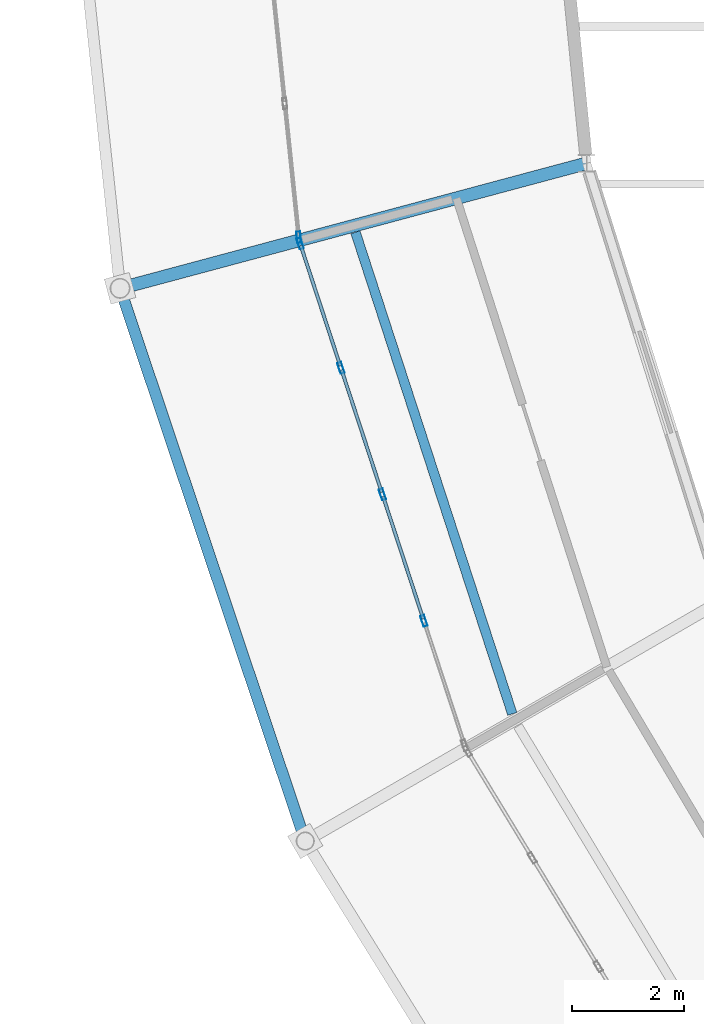
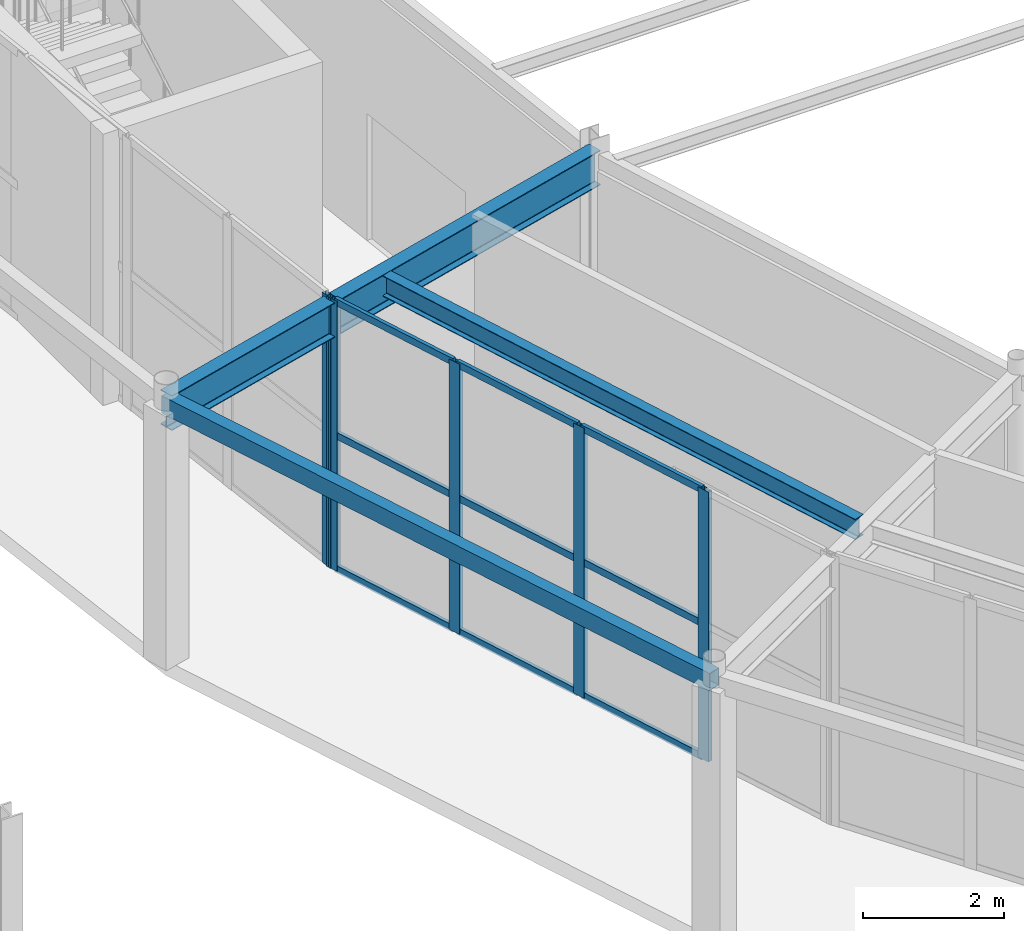
# One storey, part 41 of 144: 14 members, 3 beams, 2 elements without a shape of their own.
"""IFC4 building model written with IfcOpenShell, lengths in metres."""

from ifc_helpers import new_model, si_unit, direction, frame, origin, origin_2d, place, context, subcontext, project, spatial, hollow_rectangle, i_section, extrude, material, material_profile, profile_set, type_object, element, aggregate, save


model = new_model("IFC4")

# Units and contexts
model_context = context("Model", 3, precision=1e-05, world=origin(), true_north=direction((0.0, 1.0)))
body_context = subcontext(model_context, "Body", "Model", "MODEL_VIEW")
ifc_project = project(units=[si_unit("LENGTHUNIT", "METRE"), si_unit("AREAUNIT", "SQUARE_METRE"), si_unit("VOLUMEUNIT", "CUBIC_METRE"), si_unit("PLANEANGLEUNIT", "RADIAN"), si_unit("MASSUNIT", "GRAM", prefix="KILO")], contexts=[model_context])

# Site, building, storey
site_placement = place(None, origin())
site = spatial("IfcSite", under=ifc_project, at=site_placement, CompositionType="ELEMENT")
building_placement = place(site_placement, origin())
building = spatial("IfcBuilding", under=site, at=building_placement, Name="Karori Crest Natural Sciences Institute", CompositionType="ELEMENT")
storey_placement = place(building_placement, origin())
storey = spatial("IfcBuildingStorey", under=building, at=storey_placement, Name="L00", CompositionType="ELEMENT", Elevation=0.0)

# Beams
ifc_material_1 = material(Name="Hollow structural steel AS/NZS 1163 Grade C350", Category="steel")
ifc_material_profile_1 = material_profile(ifc_material_1, hollow_rectangle(XDim=0.199951171875, YDim=0.300048828125, WallThickness=0.010009765625, at=origin_2d()), Name="RHS300x200x10")
ifc_profile_set_1 = profile_set([ifc_material_profile_1], Name="Hollow structural steel AS/NZS 1163 Grade C350")
beam_type_1 = type_object("IfcBeamType", Name="BT-15", PredefinedType="SPANDREL", material=ifc_profile_set_1)
beam_1_placement = place(storey_placement, frame((34.5244140625, 39.340087890625, 4.489990234375), z_axis=(0.317688324477, -0.948195195353, 0.0), x_axis=(0.948195195353, 0.317688324477, 0.0)))
element("IfcBeam", 1, at=beam_1_placement, inside=storey, type_object=beam_type_1, Name="Beam B-0138", PredefinedType="SPANDREL", context=body_context, shape_type="SweptSolid", body=[
    extrude(hollow_rectangle(XDim=0.199951171875, YDim=0.300048828125, WallThickness=0.010009765625, at=origin_2d()), origin(), (0.0, 0.0, 1.0), 10.377685546875),
])
ifc_material_2 = material(Name="Structural steel AS/NZS 3679.1 Grade 350", Category="steel")
ifc_material_profile_2 = material_profile(ifc_material_2, i_section(OverallWidth=0.22802734375, OverallDepth=0.60205078125, WebThickness=0.010498046875, FlangeThickness=0.014892578125, FilletRadius=0.013916015625, at=origin_2d()), Name="610UB101")
ifc_profile_set_2 = profile_set([ifc_material_profile_2], Name="Structural steel AS/NZS 3679.1 Grade 350")
beam_type_2 = type_object("IfcBeamType", Name="BT-27", PredefinedType="BEAM", material=ifc_profile_set_2)
beam_2_placement = place(storey_placement, frame((42.831298828125, 41.56591796875, 4.339111328125), z_axis=(-0.965925622404, -0.258819806009, 0.0), x_axis=(0.258819806009, -0.965925622404, 0.0)))
element("IfcBeam", 2, at=beam_2_placement, inside=storey, type_object=beam_type_2, Name="Beam B-0140", PredefinedType="BEAM", context=body_context, shape_type="SweptSolid", body=[
    extrude(i_section(OverallWidth=0.22802734375, OverallDepth=0.60205078125, WebThickness=0.010498046875, FlangeThickness=0.014892578125, FilletRadius=0.013916015625, at=origin_2d()), origin(), (0.0, 0.0, 1.0), 8.599853515625),
])
ifc_material_profile_3 = material_profile(ifc_material_2, i_section(OverallWidth=0.1708984375, OverallDepth=0.35595703125, WebThickness=0.00732421875, FlangeThickness=0.011474609375, FilletRadius=0.010986328125, at=origin_2d()), Name="360UB50.7")
ifc_profile_set_3 = profile_set([ifc_material_profile_3], Name="Structural steel AS/NZS 3679.1 Grade 350")
beam_type_3 = type_object("IfcBeamType", Name="BT-30", PredefinedType="BEAM", material=ifc_profile_set_3)
beam_3_placement = place(storey_placement, frame((38.715087890625, 40.339111328125, 4.4619140625), z_axis=(0.309674277679, -0.950842700842, 0.0), x_axis=(0.950842700842, 0.309674277679, 0.0)))
element("IfcBeam", 3, at=beam_3_placement, inside=storey, type_object=beam_type_3, Name="Beam B-0141", PredefinedType="BEAM", context=body_context, shape_type="SweptSolid", body=[
    extrude(i_section(OverallWidth=0.1708984375, OverallDepth=0.35595703125, WebThickness=0.00732421875, FlangeThickness=0.011474609375, FilletRadius=0.010986328125, at=origin_2d()), origin(), (0.0, 0.0, 1.0), 9.018310546875),
])

# Curtain wall, member
ifc_material_3 = material(Name="Anodised architectural aluminium 6063-T6", Category="aluminium")
curtain_wall_type_1 = type_object("IfcCurtainWallType", Name="CWT-03", PredefinedType="NOTDEFINED", material=ifc_material_3)
curtain_wall_1_placement = place(storey_placement, origin())
curtain_wall_1 = element("IfcCurtainWall", 4, at=curtain_wall_1_placement, inside=storey, type_object=curtain_wall_type_1, Name="Curtain wall CW-0016", PredefinedType="NOTDEFINED")
ifc_material_profile_4 = material_profile(ifc_material_3, hollow_rectangle(XDim=0.074951171875, YDim=0.199951171875, WallThickness=0.0048828125, at=origin_2d()), Name="CWM200x75x5")
ifc_profile_set_4 = profile_set([ifc_material_profile_4], Name="Anodised architectural aluminium 6063-T6")
member_type_1 = type_object("IfcMemberType", Name="CWM-02", PredefinedType="MULLION", material=ifc_profile_set_4)
member_1_placement = place(storey_placement, frame((37.7060546875, 40.25146484375, 0.0), z_axis=(0.0, 0.0, 1.0), x_axis=(-0.994608485589, -0.103701303727, 0.0)))
member_1 = element("IfcMember", 5, at=member_1_placement, type_object=member_type_1, Name="CW-0016 mullion 1", PredefinedType="MULLION", context=body_context, shape_type="SweptSolid", body=[
    extrude(hollow_rectangle(XDim=0.074951171875, YDim=0.199951171875, WallThickness=0.0048828125, at=origin_2d()), origin(), (0.0, 0.0, 1.0), 4.679931640625),
])
aggregate(curtain_wall_1, [member_1])

# Curtain wall, members
curtain_wall_type_2 = type_object("IfcCurtainWallType", Name="CWT-04", PredefinedType="NOTDEFINED", material=ifc_material_3)
curtain_wall_2_placement = place(storey_placement, origin())
curtain_wall_2 = element("IfcCurtainWall", 6, at=curtain_wall_2_placement, inside=storey, type_object=curtain_wall_type_2, Name="Curtain wall CW-0017", PredefinedType="NOTDEFINED")
member_2_placement = place(storey_placement, frame((39.93408203125, 33.420654296875, 0.0), z_axis=(0.0, 0.0, 1.0), x_axis=(-0.950175969879, -0.311714013584, 0.0)))
member_2 = element("IfcMember", 7, at=member_2_placement, type_object=member_type_1, Name="CW-0017 mullion 2", PredefinedType="MULLION", context=body_context, shape_type="SweptSolid", body=[
    extrude(hollow_rectangle(XDim=0.074951171875, YDim=0.199951171875, WallThickness=0.0048828125, at=origin_2d()), origin(), (0.0, 0.0, 1.0), 4.679931640625),
])
member_3_placement = place(storey_placement, frame((39.195556640625, 35.672119140625, 0.0), z_axis=(0.0, 0.0, 1.0), x_axis=(-0.950175969879, -0.311714013584, 0.0)))
member_3 = element("IfcMember", 8, at=member_3_placement, type_object=member_type_1, Name="CW-0017 mullion 3", PredefinedType="MULLION", context=body_context, shape_type="SweptSolid", body=[
    extrude(hollow_rectangle(XDim=0.074951171875, YDim=0.199951171875, WallThickness=0.0048828125, at=origin_2d()), origin(), (0.0, 0.0, 1.0), 4.679931640625),
])
member_4_placement = place(storey_placement, frame((38.456787109375, 37.923828125, 0.0), z_axis=(0.0, 0.0, 1.0), x_axis=(-0.950175969879, -0.311714013584, 0.0)))
member_4 = element("IfcMember", 9, at=member_4_placement, type_object=member_type_1, Name="CW-0017 mullion 4", PredefinedType="MULLION", context=body_context, shape_type="SweptSolid", body=[
    extrude(hollow_rectangle(XDim=0.074951171875, YDim=0.199951171875, WallThickness=0.0048828125, at=origin_2d()), origin(), (0.0, 0.0, 1.0), 4.679931640625),
])
member_5_placement = place(storey_placement, frame((37.72998046875, 40.1396484375, 0.0), z_axis=(0.0, 0.0, 1.0), x_axis=(-0.950175969879, -0.311714013584, 0.0)))
member_5 = element("IfcMember", 10, at=member_5_placement, type_object=member_type_1, Name="CW-0017 mullion 5", PredefinedType="MULLION", context=body_context, shape_type="SweptSolid", body=[
    extrude(hollow_rectangle(XDim=0.074951171875, YDim=0.199951171875, WallThickness=0.0048828125, at=origin_2d()), origin(), (0.0, 0.0, 1.0), 4.679931640625),
])
ifc_material_profile_5 = material_profile(ifc_material_3, hollow_rectangle(XDim=0.06005859375, YDim=0.1201171875, WallThickness=0.00390625, at=origin_2d()), Name="CWT120x60x4")
ifc_profile_set_5 = profile_set([ifc_material_profile_5], Name="Anodised architectural aluminium 6063-T6")
member_type_2 = type_object("IfcMemberType", Name="CWT-TR1", PredefinedType="USERDEFINED", material=ifc_profile_set_5)
member_6_placement = place(storey_placement, frame((39.92236328125, 33.456298828125, 0.030029296875), z_axis=(-0.311659343997, 0.950193903001, 0.0), x_axis=(-0.950193903001, -0.311659343997, 0.0)))
member_6 = element("IfcMember", 11, at=member_6_placement, type_object=member_type_2, Name="CW-0017 transom 2.1", ObjectType="TRANSOM", PredefinedType="USERDEFINED", context=body_context, shape_type="SweptSolid", body=[
    extrude(hollow_rectangle(XDim=0.06005859375, YDim=0.1201171875, WallThickness=0.00390625, at=origin_2d()), origin(), (0.0, 0.0, 1.0), 2.29443359375),
])
member_7_placement = place(storey_placement, frame((39.92236328125, 33.456298828125, 2.340087890625), z_axis=(-0.311659343997, 0.950193903001, 0.0), x_axis=(-0.950193903001, -0.311659343997, 0.0)))
member_7 = element("IfcMember", 12, at=member_7_placement, type_object=member_type_2, Name="CW-0017 transom 2.2", ObjectType="TRANSOM", PredefinedType="USERDEFINED", context=body_context, shape_type="SweptSolid", body=[
    extrude(hollow_rectangle(XDim=0.06005859375, YDim=0.1201171875, WallThickness=0.00390625, at=origin_2d()), origin(), (0.0, 0.0, 1.0), 2.29443359375),
])
member_8_placement = place(storey_placement, frame((39.92236328125, 33.456298828125, 4.64990234375), z_axis=(-0.311659343997, 0.950193903001, 0.0), x_axis=(-0.950193903001, -0.311659343997, 0.0)))
member_8 = element("IfcMember", 13, at=member_8_placement, type_object=member_type_2, Name="CW-0017 transom 2.3", ObjectType="TRANSOM", PredefinedType="USERDEFINED", context=body_context, shape_type="SweptSolid", body=[
    extrude(hollow_rectangle(XDim=0.06005859375, YDim=0.1201171875, WallThickness=0.00390625, at=origin_2d()), origin(), (0.0, 0.0, 1.0), 2.29443359375),
])
member_9_placement = place(storey_placement, frame((39.183837890625, 35.707763671875, 0.030029296875), z_axis=(-0.311723893704, 0.950172728557, 0.0), x_axis=(-0.950172728557, -0.311723893704, 0.0)))
member_9 = element("IfcMember", 14, at=member_9_placement, type_object=member_type_2, Name="CW-0017 transom 3.1", ObjectType="TRANSOM", PredefinedType="USERDEFINED", context=body_context, shape_type="SweptSolid", body=[
    extrude(hollow_rectangle(XDim=0.06005859375, YDim=0.1201171875, WallThickness=0.00390625, at=origin_2d()), origin(), (0.0, 0.0, 1.0), 2.294677734375),
])
member_10_placement = place(storey_placement, frame((39.183837890625, 35.707763671875, 2.340087890625), z_axis=(-0.311723893704, 0.950172728557, 0.0), x_axis=(-0.950172728557, -0.311723893704, 0.0)))
member_10 = element("IfcMember", 15, at=member_10_placement, type_object=member_type_2, Name="CW-0017 transom 3.2", ObjectType="TRANSOM", PredefinedType="USERDEFINED", context=body_context, shape_type="SweptSolid", body=[
    extrude(hollow_rectangle(XDim=0.06005859375, YDim=0.1201171875, WallThickness=0.00390625, at=origin_2d()), origin(), (0.0, 0.0, 1.0), 2.294677734375),
])
member_11_placement = place(storey_placement, frame((39.183837890625, 35.707763671875, 4.64990234375), z_axis=(-0.311723893704, 0.950172728557, 0.0), x_axis=(-0.950172728557, -0.311723893704, 0.0)))
member_11 = element("IfcMember", 16, at=member_11_placement, type_object=member_type_2, Name="CW-0017 transom 3.3", ObjectType="TRANSOM", PredefinedType="USERDEFINED", context=body_context, shape_type="SweptSolid", body=[
    extrude(hollow_rectangle(XDim=0.06005859375, YDim=0.1201171875, WallThickness=0.00390625, at=origin_2d()), origin(), (0.0, 0.0, 1.0), 2.294677734375),
])
member_12_placement = place(storey_placement, frame((38.445068359375, 37.95947265625, 0.030029296875), z_axis=(-0.311648341446, 0.950197511718, 0.0), x_axis=(-0.950197511718, -0.311648341446, 0.0)))
member_12 = element("IfcMember", 17, at=member_12_placement, type_object=member_type_2, Name="CW-0017 transom 4.1", ObjectType="TRANSOM", PredefinedType="USERDEFINED", context=body_context, shape_type="SweptSolid", body=[
    extrude(hollow_rectangle(XDim=0.06005859375, YDim=0.1201171875, WallThickness=0.00390625, at=origin_2d()), origin(), (0.0, 0.0, 1.0), 2.2568359375),
])
member_13_placement = place(storey_placement, frame((38.445068359375, 37.95947265625, 2.340087890625), z_axis=(-0.311648341446, 0.950197511718, 0.0), x_axis=(-0.950197511718, -0.311648341446, 0.0)))
member_13 = element("IfcMember", 18, at=member_13_placement, type_object=member_type_2, Name="CW-0017 transom 4.2", ObjectType="TRANSOM", PredefinedType="USERDEFINED", context=body_context, shape_type="SweptSolid", body=[
    extrude(hollow_rectangle(XDim=0.06005859375, YDim=0.1201171875, WallThickness=0.00390625, at=origin_2d()), origin(), (0.0, 0.0, 1.0), 2.2568359375),
])
member_14_placement = place(storey_placement, frame((38.445068359375, 37.95947265625, 4.64990234375), z_axis=(-0.311648341446, 0.950197511718, 0.0), x_axis=(-0.950197511718, -0.311648341446, 0.0)))
member_14 = element("IfcMember", 19, at=member_14_placement, type_object=member_type_2, Name="CW-0017 transom 4.3", ObjectType="TRANSOM", PredefinedType="USERDEFINED", context=body_context, shape_type="SweptSolid", body=[
    extrude(hollow_rectangle(XDim=0.06005859375, YDim=0.1201171875, WallThickness=0.00390625, at=origin_2d()), origin(), (0.0, 0.0, 1.0), 2.2568359375),
])
aggregate(curtain_wall_2, [member_2, member_3, member_4, member_5, member_6, member_7, member_8, member_9, member_10, member_11, member_12, member_13, member_14])

save(model, "model.ifc")
